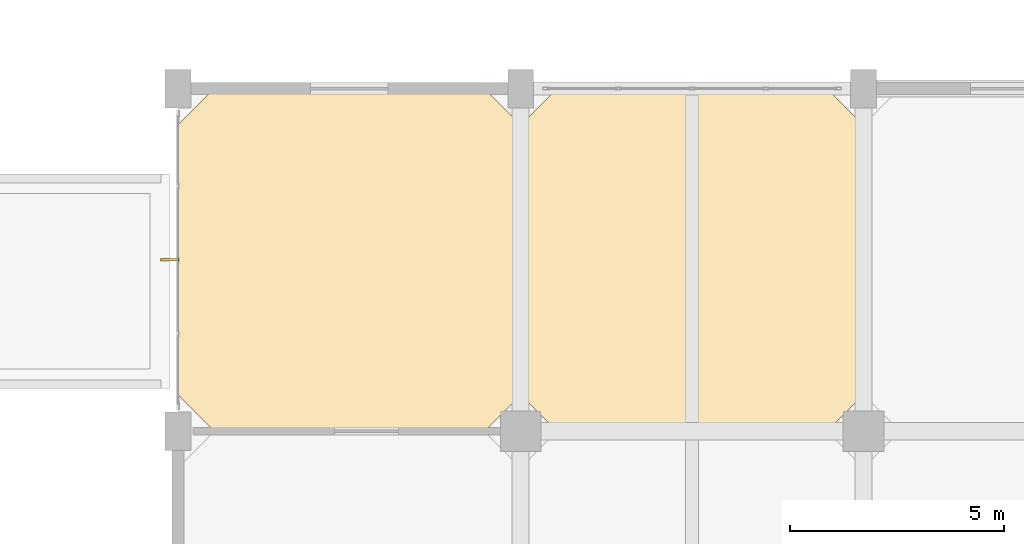
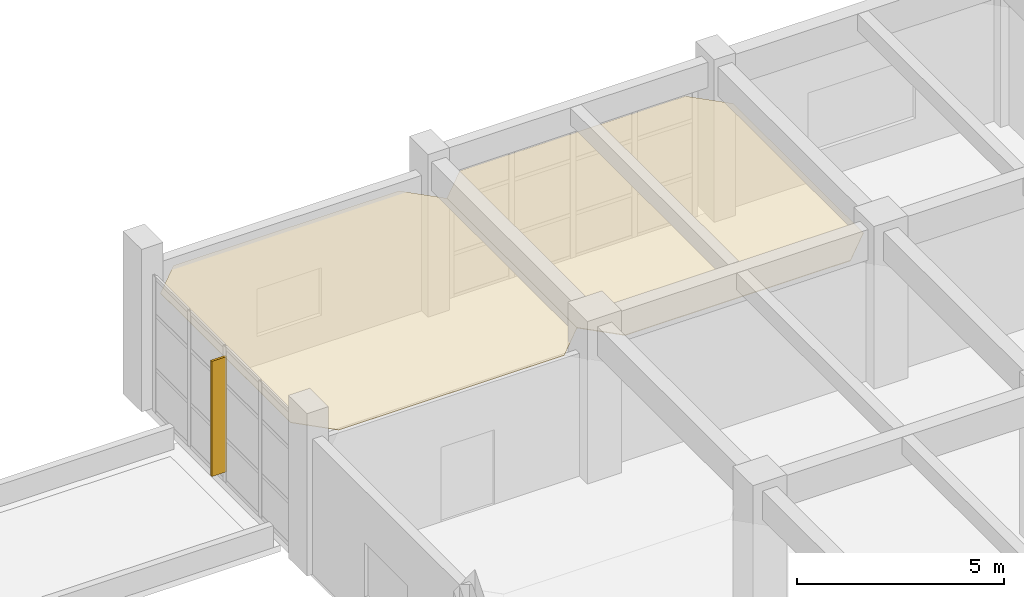
# One storey, part 59 of 63: 2 coverings, 1 shading device.
"""IFC4 building model written with IfcOpenShell, lengths in metres."""

from ifc_helpers import new_model, si_unit, direction, frame, origin, origin_2d, place, context, subcontext, project, spatial, polyline, rectangle, outline, extrude, material, layer, layer_set, type_object, element, save


model = new_model("IFC4")

# Units and contexts
model_context = context("Model", 3, precision=1e-05, world=origin(), true_north=direction((0.0, 1.0)))
body_context = subcontext(model_context, "Body", "Model", "MODEL_VIEW")
ifc_project = project(units=[si_unit("LENGTHUNIT", "METRE"), si_unit("AREAUNIT", "SQUARE_METRE"), si_unit("VOLUMEUNIT", "CUBIC_METRE"), si_unit("PLANEANGLEUNIT", "RADIAN"), si_unit("MASSUNIT", "GRAM", prefix="KILO")], contexts=[model_context])

# Site, building, storey
site_placement = place(None, origin())
site = spatial("IfcSite", under=ifc_project, at=site_placement, CompositionType="ELEMENT")
building_placement = place(site_placement, origin())
building = spatial("IfcBuilding", under=site, at=building_placement, Name="Canggui Botanical Conservatory", CompositionType="ELEMENT")
storey_placement = place(building_placement, frame((0.0, 0.0, 10.199951171875)))
storey = spatial("IfcBuildingStorey", under=building, at=storey_placement, Name="L03", CompositionType="ELEMENT", Elevation=10.199951171875)

# Coverings
ifc_material_1 = material(Name="Mineral Fibre Acoustic Board")
ifc_layer_1 = layer(ifc_material_1, 0.014892578125, Name="Mineral Fibre Acoustic Board")
ifc_layer_set_1 = layer_set([ifc_layer_1], Name="Mineral Fibre Acoustic Board")
covering_type_1 = type_object("IfcCoveringType", Name="COV-CEIL-15", PredefinedType="CEILING", material=ifc_layer_set_1)
covering_1_placement = place(storey_placement, frame((0.0, 0.0, 3.635009765625)))
element("IfcCovering", 1, at=covering_1_placement, inside=storey, type_object=covering_type_1, Name="Suspended Acoustic Ceiling L03-130-74", PredefinedType="CEILING", context=body_context, shape_type="SweptSolid", body=[
    extrude(outline(polyline([(130.85009765625, 74.0), (137.14990234375, 74.0), (138.0, 74.85009765625), (138.0, 81.14990234375), (137.14990234375, 82.0), (130.85009765625, 82.0), (130.0, 81.14990234375), (130.0, 74.85009765625), (130.85009765625, 74.0)])), origin(), (0.0, 0.0, 1.0), 0.01513671875),
])
ifc_material_2 = material(Name="Perforated Gypsum Acoustic Panel")
ifc_layer_2 = layer(ifc_material_2, 0.02001953125, Name="Perforated Gypsum Acoustic Panel")
ifc_layer_set_2 = layer_set([ifc_layer_2], Name="Perforated Gypsum Acoustic Panel")
covering_type_2 = type_object("IfcCoveringType", Name="COV-CEIL-20", PredefinedType="CEILING", material=ifc_layer_set_2)
covering_2_placement = place(storey_placement, frame((0.0, 0.0, 3.630126953125)))
element("IfcCovering", 2, at=covering_2_placement, inside=storey, type_object=covering_type_2, Name="Suspended Acoustic Ceiling L03-138-74", PredefinedType="CEILING", context=body_context, shape_type="SweptSolid", body=[
    extrude(outline(polyline([(138.85009765625, 74.0), (145.14990234375, 74.0), (146.0, 74.85009765625), (146.0, 81.14990234375), (145.14990234375, 82.0), (138.85009765625, 82.0), (138.0, 81.14990234375), (138.0, 74.85009765625), (138.85009765625, 74.0)])), origin(), (0.0, 0.0, 1.0), 0.02001953125),
])

# Shading device
ifc_material_3 = material(Name="Anodised Aluminium", Category="aluminium")
shading_device_type = type_object("IfcShadingDeviceType", Name="SHD-FIN01", PredefinedType="AWNING", material=ifc_material_3)
shading_device_placement = place(storey_placement, frame((129.804931640625, 78.0, 0.300048828125), z_axis=(0.0, 0.0, 1.0), x_axis=(0.0, 1.0, 0.0)))
element("IfcShadingDevice", 3, at=shading_device_placement, inside=storey, type_object=shading_device_type, Name="Solar Shading Fin CW-TWR-L03-13", PredefinedType="AWNING", context=body_context, shape_type="SweptSolid", body=[
    extrude(rectangle(XDim=0.06005859375, YDim=0.419921875, at=origin_2d()), origin(), (0.0, 0.0, 1.0), 3.39990234375),
])

save(model, "model.ifc")
